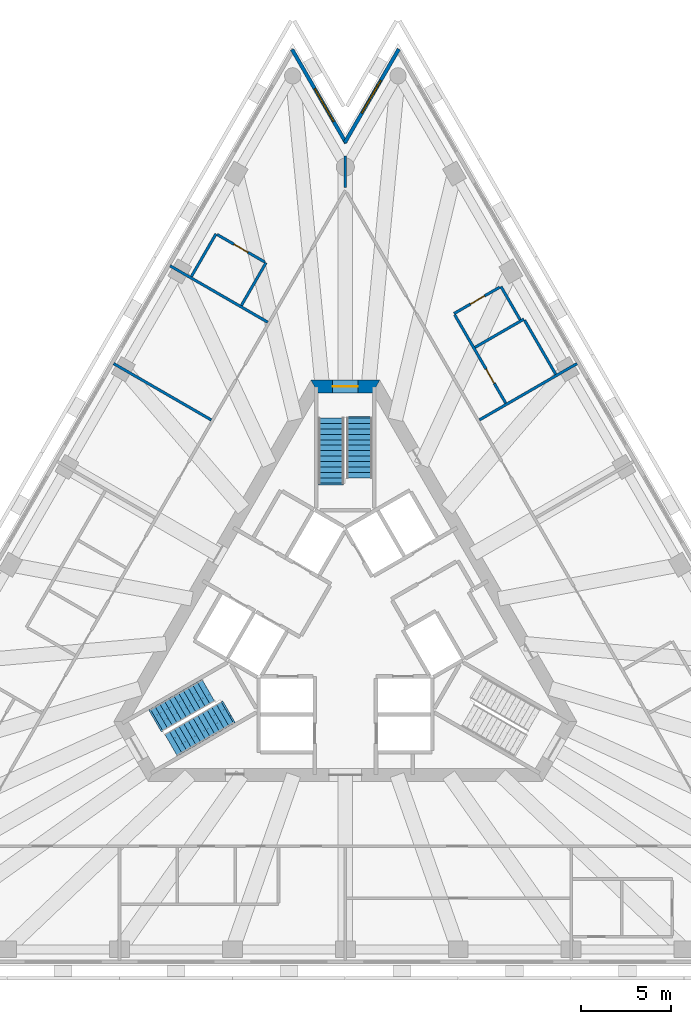
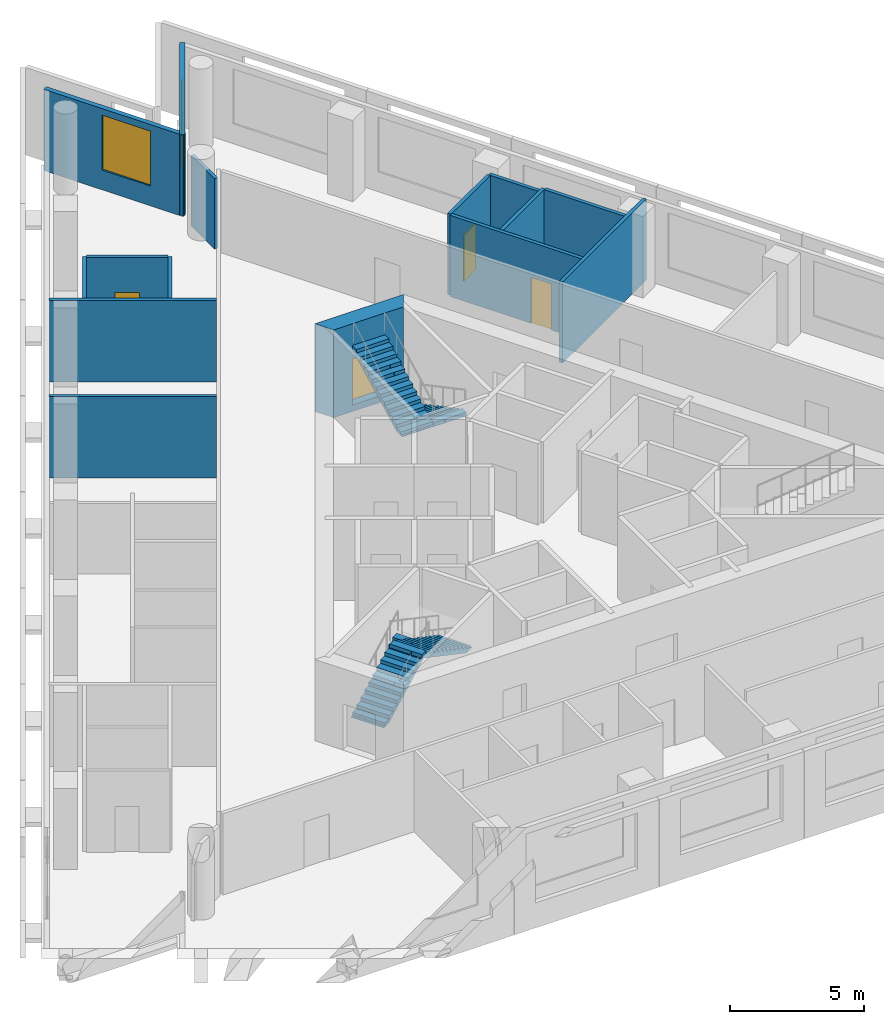
# One storey, part 7 of 10: 15 walls, 4 doors, 4 stair flights, 2 windows, 6 openings, 2 elements without a shape of their own.
"""IFC4 building model written with IfcOpenShell, lengths in metres."""

from ifc_helpers import new_model, si_unit, direction, frame, frame_2d, origin, place, context, subcontext, project, spatial, polyline, rectangle, outline, extrude, material, layer, layer_set, layer_usage, type_object, element, fill, aggregate, save


model = new_model("IFC4")

# Units and contexts
model_context = context("Model", 3, precision=1e-05, world=origin(), true_north=direction((0.0, 1.0)))
body_context = subcontext(model_context, "Body", "Model", "MODEL_VIEW")
ifc_project = project(units=[si_unit("LENGTHUNIT", "METRE"), si_unit("AREAUNIT", "SQUARE_METRE"), si_unit("VOLUMEUNIT", "CUBIC_METRE"), si_unit("PLANEANGLEUNIT", "RADIAN"), si_unit("MASSUNIT", "GRAM", prefix="KILO")], contexts=[model_context])

# Site, building, storey
site_placement = place(None, origin())
site = spatial("IfcSite", under=ifc_project, at=site_placement, CompositionType="ELEMENT")
building_placement = place(site_placement, origin())
building = spatial("IfcBuilding", under=site, at=building_placement, Name="Triada Interchange Tower", CompositionType="ELEMENT")
storey_placement = place(building_placement, frame((0.0, 0.0, 195.300048828125)))
storey = spatial("IfcBuildingStorey", under=building, at=storey_placement, Name="L45", CompositionType="ELEMENT", Elevation=195.300048828125)

# Wall, opening, door
ifc_material_1 = material(Name="Concrete C50/60", Category="concrete")
ifc_layer_1 = layer(ifc_material_1, 0.699951171875)
ifc_layer_set_1 = layer_set([ifc_layer_1], Name="Core wall C 700")
wall_type_1 = type_object("IfcWallType", Name="Core wall C 700", PredefinedType="SHEAR", material=ifc_layer_set_1)
wall_1_placement = place(storey_placement, frame((1.702880859375, 13.35009765625, -0.300048828125), z_axis=(0.0, 0.0, 1.0), x_axis=(-1.0, 0.0, 0.0)))
wall_1 = element("IfcWall", 1, at=wall_1_placement, inside=storey, type_object=wall_type_1, Name="Core wall WC01 L45", PredefinedType="SHEAR", context=body_context, shape_type="SweptSolid", body=[
    extrude(outline(polyline([(-0.201904296875, -0.35009765625), (1.703125, -0.35009765625), (3.60791015625, -0.35009765625), (3.2041015625, 0.35009765625), (1.703125, 0.35009765625), (0.201904296875, 0.35009765625), (-0.201904296875, -0.35009765625)])), origin(), (0.0, 0.0, 1.0), 4.0),
])
opening_1_placement = place(wall_1_placement, frame((1.0029296875, 0.0, 0.300048828125)))
opening_1 = element("IfcOpeningElement", 2, at=opening_1_placement, cuts=wall_1, Name="Opening D44-40", PredefinedType="OPENING", context=body_context, shape_type="SweptSolid", body=[
    extrude(rectangle(XDim=1.39990234375, YDim=2.10009765625, at=frame_2d((0.699951171875, 1.050048828125))), frame((0.0, 0.360107421875, 0.0), z_axis=(0.0, -1.0, 0.0), x_axis=(1.0, 0.0, 0.0)), (0.0, 0.0, 1.0), 0.72021484375),
])
ifc_material_2 = material(Name="Steel S235 door leaf", Category="steel")
door_type_1 = type_object("IfcDoorType", Name="STAIR DOOR 1400 EI2 90-C5S200", OperationType="DOUBLE_DOOR_SINGLE_SWING", PredefinedType="DOOR", material=ifc_material_2)
door_1_placement = place(opening_1_placement, origin())
door_1 = element("IfcDoor", 3, at=door_1_placement, inside=storey, type_object=door_type_1, Name="Door D44-40 L45", OperationType="DOUBLE_DOOR_SINGLE_SWING", OverallHeight=2.10009765625, OverallWidth=1.39990234375, PredefinedType="DOOR", context=body_context, shape_type="SweptSolid", body=[
    extrude(rectangle(XDim=1.39990234375, YDim=2.10009765625, at=frame_2d((0.699951171875, 1.050048828125))), frame((0.0, 0.02490234375, 0.0), z_axis=(0.0, -1.0, 0.0), x_axis=(1.0, 0.0, 0.0)), (0.0, 0.0, 1.0), 0.050048828125),
])
fill(opening_1, door_1)

# Wall, opening, window
ifc_material_3 = material(Name="Cement board")
ifc_layer_2 = layer(ifc_material_3, 0.02001953125, Name="Cement board cladding")
ifc_material_4 = material(Name="Sheathing board")
ifc_layer_3 = layer(ifc_material_4, 0.014892578125, Name="Sheathing board")
ifc_material_5 = material(Name="Mineral wool")
ifc_layer_4 = layer(ifc_material_5, 0.14990234375, Name="Mineral wool between steel studs")
ifc_material_6 = material(Name="Gypsum board")
ifc_layer_5 = layer(ifc_material_6, 0.014892578125, Name="Plasterboard lining")
ifc_layer_set_2 = layer_set([ifc_layer_2, ifc_layer_3, ifc_layer_4, ifc_layer_5], Name="External wall 200")
ifc_layer_usage = layer_usage(ifc_layer_set_2, "AXIS2", "POSITIVE", -0.10009765625)
wall_type_2 = type_object("IfcWallType", Name="External wall 200", PredefinedType="ELEMENTEDWALL", material=ifc_layer_set_2)
wall_2_placement = place(storey_placement, frame((2.958984375, 32.02001953125, 0.0), z_axis=(0.0, 0.0, 1.0), x_axis=(-0.499967146315, -0.866044371037, 0.0)))
wall_2 = element("IfcWall", 4, at=wall_2_placement, inside=storey, type_object=wall_type_2, material=ifc_layer_usage, Name="External wall L45 N-1", PredefinedType="ELEMENTEDWALL", context=body_context, shape_type="SweptSolid", body=[
    extrude(rectangle(XDim=5.98828125, YDim=0.199951171875, at=frame_2d((2.994140625, 0.0))), origin(), (0.0, 0.0, 1.0), 3.699951171875),
])
opening_2_placement = place(wall_2_placement, frame((1.989990234375, 0.0, 0.89990234375)))
opening_2 = element("IfcOpeningElement", 5, at=opening_2_placement, cuts=wall_2, Name="Opening WC29", PredefinedType="OPENING", context=body_context, shape_type="SweptSolid", body=[
    extrude(rectangle(XDim=2.10009765625, YDim=2.5, at=frame_2d((1.050048828125, 1.25))), frame((0.0, 0.10986328125, 0.0), z_axis=(0.0, -1.0, 0.0), x_axis=(1.0, 0.0, 0.0)), (0.0, 0.0, 1.0), 0.219970703125),
])
ifc_material_7 = material(Name="Double glazed aluminium window", Category="aluminium")
window_type = type_object("IfcWindowType", Name="Ribbon window C pocket", PartitioningType="SINGLE_PANEL", PredefinedType="WINDOW", material=ifc_material_7)
window_1_placement = place(opening_2_placement, origin())
window_1 = element("IfcWindow", 6, at=window_1_placement, inside=storey, type_object=window_type, Name="Window L45 N-1 1", OverallHeight=2.5, OverallWidth=2.10009765625, PartitioningType="SINGLE_PANEL", PredefinedType="WINDOW", context=body_context, shape_type="SweptSolid", body=[
    extrude(rectangle(XDim=2.10009765625, YDim=2.5, at=frame_2d((1.050048828125, 1.25))), frame((0.0, 0.030029296875, 0.0), z_axis=(0.0, -1.0, 0.0), x_axis=(1.0, 0.0, 0.0)), (0.0, 0.0, 1.0), 0.06005859375),
])
fill(opening_2, window_1)

wall_3_placement = place(storey_placement, frame((0.044921875, 26.81689453125, 0.0), z_axis=(0.0, 0.0, 1.0), x_axis=(-0.499967146315, 0.866044371037, 0.0)))
wall_3 = element("IfcWall", 7, at=wall_3_placement, inside=storey, type_object=wall_type_2, material=ifc_layer_usage, Name="External wall L45 N-2", PredefinedType="ELEMENTEDWALL", context=body_context, shape_type="SweptSolid", body=[
    extrude(rectangle(XDim=5.98828125, YDim=0.199951171875, at=frame_2d((2.994140625, 0.0))), origin(), (0.0, 0.0, 1.0), 3.699951171875),
])
opening_3_placement = place(wall_3_placement, frame((1.389892578125, 0.0, 0.89990234375)))
opening_3 = element("IfcOpeningElement", 8, at=opening_3_placement, cuts=wall_3, Name="Opening WC30", PredefinedType="OPENING", context=body_context, shape_type="SweptSolid", body=[
    extrude(rectangle(XDim=2.10009765625, YDim=2.5, at=frame_2d((1.050048828125, 1.25))), frame((0.0, 0.10986328125, 0.0), z_axis=(0.0, -1.0, 0.0), x_axis=(1.0, 0.0, 0.0)), (0.0, 0.0, 1.0), 0.219970703125),
])
window_2_placement = place(opening_3_placement, origin())
window_2 = element("IfcWindow", 9, at=window_2_placement, inside=storey, type_object=window_type, Name="Window L45 N-2 1", OverallHeight=2.5, OverallWidth=2.10009765625, PartitioningType="SINGLE_PANEL", PredefinedType="WINDOW", context=body_context, shape_type="SweptSolid", body=[
    extrude(rectangle(XDim=2.10009765625, YDim=2.5, at=frame_2d((1.050048828125, 1.25))), frame((0.0, 0.030029296875, 0.0), z_axis=(0.0, -1.0, 0.0), x_axis=(1.0, 0.0, 0.0)), (0.0, 0.0, 1.0), 0.06005859375),
])
fill(opening_3, window_2)

# Walls
ifc_material_8 = material(Name="Gypsum board partition")
ifc_layer_6 = layer(ifc_material_8, 0.14990234375)
ifc_layer_set_3 = layer_set([ifc_layer_6], Name="PARTITION 150 EI 180")
wall_type_3 = type_object("IfcWallType", Name="PARTITION 150 EI 180", PredefinedType="PARTITIONING", material=ifc_layer_set_3)
for number, where, z_axis, x_axis, name in (
    (10, (-12.822998046875, 14.618896484375, 0.0), (0.0, 0.0, 1.0), (0.866036385336, -0.499980978912, 0.0), "Wall L44 12"),
    (11, (-9.698974609375, 20.030029296875, 0.0), (0.0, 0.0, 1.0), (0.86601944389, -0.500010322698, 0.0), "Wall L44 15"),
):
    element("IfcWall", number, at=place(storey_placement, frame(where, z_axis=z_axis, x_axis=x_axis)), inside=storey, type_object=wall_type_3, Name=name, PredefinedType="PARTITIONING", context=body_context, shape_type="SweptSolid", body=[
        extrude(rectangle(XDim=6.239990234375, YDim=0.14990234375, at=frame_2d((3.1201171875, 0.0))), origin(), (0.0, 0.0, 1.0), 3.699951171875),
    ])
wall_4_placement = place(storey_placement, frame((0.0, 24.35009765625, 0.0), z_axis=(0.0, 0.0, 1.0), x_axis=(0.0, 1.0, 0.0)))
element("IfcWall", 12, at=wall_4_placement, inside=storey, type_object=wall_type_3, Name="Wall L44 20", PredefinedType="PARTITIONING", context=body_context, shape_type="SweptSolid", body=[
    extrude(rectangle(XDim=1.764892578125, YDim=0.14990234375, at=frame_2d((0.88232421875, 0.0))), origin(), (0.0, 0.0, 1.0), 3.199951171875),
])
wall_5_placement = place(storey_placement, frame((7.4189453125, 11.4990234375, 0.0), z_axis=(0.0, 0.0, 1.0), x_axis=(0.866036385336, 0.499980978912, 0.0)))
element("IfcWall", 13, at=wall_5_placement, inside=storey, type_object=wall_type_3, Name="Wall L44 22", PredefinedType="PARTITIONING", context=body_context, shape_type="SweptSolid", body=[
    extrude(rectangle(XDim=6.239990234375, YDim=0.14990234375, at=frame_2d((3.1201171875, 0.0))), origin(), (0.0, 0.0, 1.0), 3.699951171875),
])
ifc_layer_7 = layer(ifc_material_8, 0.14990234375)
ifc_layer_set_4 = layer_set([ifc_layer_7], Name="PARTITION 150 EI 90")
wall_type_4 = type_object("IfcWallType", Name="PARTITION 150 EI 90", PredefinedType="PARTITIONING", material=ifc_layer_set_4)
for number, where, z_axis, x_axis, name in (
    (14, (-8.52099609375, 19.43603515625, 0.0), (0.0, 0.0, 1.0), (0.500156697144, 0.865934915743, 0.0), "Wall L44 28"),
    (15, (-5.751953125, 17.837890625, 0.0), (0.0, 0.0, 1.0), (0.500117899823, 0.865957323588, 0.0), "Wall L44 31"),
):
    element("IfcWall", number, at=place(storey_placement, frame(where, z_axis=z_axis, x_axis=x_axis)), inside=storey, type_object=wall_type_4, Name=name, PredefinedType="PARTITIONING", context=body_context, shape_type="SweptSolid", body=[
        extrude(rectangle(XDim=2.725341796875, YDim=0.14990234375, at=frame_2d((1.36279296875, 0.0))), origin(), (0.0, 0.0, 1.0), 3.699951171875),
    ])

# Wall, opening, door
wall_6_placement = place(storey_placement, frame((-7.093017578125, 21.759033203125, 0.0), z_axis=(0.0, 0.0, 1.0), x_axis=(0.865976105257, -0.500085377835, 0.0)))
wall_6 = element("IfcWall", 16, at=wall_6_placement, inside=storey, type_object=wall_type_4, Name="Wall L44 33", PredefinedType="PARTITIONING", context=body_context, shape_type="SweptSolid", body=[
    extrude(rectangle(XDim=3.04736328125, YDim=0.14990234375, at=frame_2d((1.523681640625, 0.0))), origin(), (0.0, 0.0, 1.0), 3.699951171875),
])
opening_4_placement = place(wall_6_placement, frame((1.074951171875, 0.0, 0.0)))
opening_4 = element("IfcOpeningElement", 17, at=opening_4_placement, cuts=wall_6, Name="Opening D44-29", PredefinedType="OPENING", context=body_context, shape_type="SweptSolid", body=[
    extrude(rectangle(XDim=0.89990234375, YDim=2.10009765625, at=frame_2d((0.449951171875, 1.050048828125))), frame((0.0, 0.0849609375, 0.0), z_axis=(0.0, -1.0, 0.0), x_axis=(1.0, 0.0, 0.0)), (0.0, 0.0, 1.0), 0.169921875),
])
door_type_2 = type_object("IfcDoorType", Name="ROOM DOOR 900 EI2 45-C5S200", OperationType="NOTDEFINED", PredefinedType="DOOR", material=ifc_material_2)
door_2_placement = place(opening_4_placement, origin())
door_2 = element("IfcDoor", 18, at=door_2_placement, inside=storey, type_object=door_type_2, Name="Door D44-29 L45", OperationType="SINGLE_SWING_RIGHT", OverallHeight=2.10009765625, OverallWidth=0.89990234375, PredefinedType="DOOR", context=body_context, shape_type="SweptSolid", body=[
    extrude(rectangle(XDim=0.89990234375, YDim=2.10009765625, at=frame_2d((0.449951171875, 1.050048828125))), frame((0.0, 0.02490234375, 0.0), z_axis=(0.0, -1.0, 0.0), x_axis=(1.0, 0.0, 0.0)), (0.0, 0.0, 1.0), 0.050048828125),
])
fill(opening_4, door_2)

# Walls
wall_7_placement = place(storey_placement, frame((7.177978515625, 15.51708984375, 0.0), z_axis=(0.0, 0.0, 1.0), x_axis=(0.866084027935, 0.499898446243, 0.0)))
element("IfcWall", 19, at=wall_7_placement, inside=storey, type_object=wall_type_4, Name="Wall L44 35", PredefinedType="PARTITIONING", context=body_context, shape_type="SweptSolid", body=[
    extrude(rectangle(XDim=3.122314453125, YDim=0.14990234375, at=frame_2d((1.56103515625, 0.0))), origin(), (0.0, 0.0, 1.0), 3.699951171875),
])
wall_8_placement = place(storey_placement, frame((8.611083984375, 18.885009765625, 0.0), z_axis=(0.0, 0.0, 1.0), x_axis=(0.500017365573, -0.866015377534, 0.0)))
element("IfcWall", 20, at=wall_8_placement, inside=storey, type_object=wall_type_4, Name="Wall L44 36", PredefinedType="PARTITIONING", context=body_context, shape_type="SweptSolid", body=[
    extrude(rectangle(XDim=2.1259765625, YDim=0.14990234375, at=frame_2d((1.06298828125, 0.0))), origin(), (0.0, 0.0, 1.0), 3.699951171875),
])

# Wall, opening, door
wall_9_placement = place(storey_placement, frame((6.012939453125, 17.385009765625, 0.0), z_axis=(0.0, 0.0, 1.0), x_axis=(0.866098016745, 0.499874209568, 0.0)))
wall_9 = element("IfcWall", 21, at=wall_9_placement, inside=storey, type_object=wall_type_4, Name="Wall L44 37", PredefinedType="PARTITIONING", context=body_context, shape_type="SweptSolid", body=[
    extrude(rectangle(XDim=2.924560546875, YDim=0.14990234375, at=frame_2d((1.46240234375, 0.0))), origin(), (0.0, 0.0, 1.0), 3.699951171875),
])
opening_5_placement = place(wall_9_placement, frame((1.050048828125, 0.0, 0.0)))
opening_5 = element("IfcOpeningElement", 22, at=opening_5_placement, cuts=wall_9, Name="Opening D44-27", PredefinedType="OPENING", context=body_context, shape_type="SweptSolid", body=[
    extrude(rectangle(XDim=0.89990234375, YDim=2.10009765625, at=frame_2d((0.449951171875, 1.050048828125))), frame((0.0, 0.0849609375, 0.0), z_axis=(0.0, -1.0, 0.0), x_axis=(1.0, 0.0, 0.0)), (0.0, 0.0, 1.0), 0.169921875),
])
door_type_3 = type_object("IfcDoorType", Name="SERVICE DOOR 900 EI2 45-C5S200", OperationType="NOTDEFINED", PredefinedType="DOOR", material=ifc_material_2)
door_3_placement = place(opening_5_placement, origin())
door_3 = element("IfcDoor", 23, at=door_3_placement, inside=storey, type_object=door_type_3, Name="Door D44-27 L45", OperationType="SINGLE_SWING_LEFT", OverallHeight=2.10009765625, OverallWidth=0.89990234375, PredefinedType="DOOR", context=body_context, shape_type="SweptSolid", body=[
    extrude(rectangle(XDim=0.89990234375, YDim=2.10009765625, at=frame_2d((0.449951171875, 1.050048828125))), frame((0.0, 0.02490234375, 0.0), z_axis=(0.0, -1.0, 0.0), x_axis=(1.0, 0.0, 0.0)), (0.0, 0.0, 1.0), 0.050048828125),
])
fill(opening_5, door_3)

wall_10_placement = place(storey_placement, frame((6.051025390625, 17.320068359375, 0.0), z_axis=(0.0, 0.0, 1.0), x_axis=(0.499991765245, -0.86603015807, 0.0)))
wall_10 = element("IfcWall", 24, at=wall_10_placement, inside=storey, type_object=wall_type_4, Name="Wall L44 38", PredefinedType="PARTITIONING", context=body_context, shape_type="SweptSolid", body=[
    extrude(rectangle(XDim=5.64990234375, YDim=0.14990234375, at=frame_2d((2.824951171875, 0.0))), origin(), (0.0, 0.0, 1.0), 3.699951171875),
])
opening_6_placement = place(wall_10_placement, frame((3.47509765625, 0.0, 0.0)))
opening_6 = element("IfcOpeningElement", 25, at=opening_6_placement, cuts=wall_10, Name="Opening D44-26", PredefinedType="OPENING", context=body_context, shape_type="SweptSolid", body=[
    extrude(rectangle(XDim=0.89990234375, YDim=2.10009765625, at=frame_2d((0.449951171875, 1.050048828125))), frame((0.0, 0.0849609375, 0.0), z_axis=(0.0, -1.0, 0.0), x_axis=(1.0, 0.0, 0.0)), (0.0, 0.0, 1.0), 0.169921875),
])
door_4_placement = place(opening_6_placement, origin())
door_4 = element("IfcDoor", 26, at=door_4_placement, inside=storey, type_object=door_type_2, Name="Door D44-26 L45", OperationType="SINGLE_SWING_RIGHT", OverallHeight=2.10009765625, OverallWidth=0.89990234375, PredefinedType="DOOR", context=body_context, shape_type="SweptSolid", body=[
    extrude(rectangle(XDim=0.89990234375, YDim=2.10009765625, at=frame_2d((0.449951171875, 1.050048828125))), frame((0.0, 0.02490234375, 0.0), z_axis=(0.0, -1.0, 0.0), x_axis=(1.0, 0.0, 0.0)), (0.0, 0.0, 1.0), 0.050048828125),
])
fill(opening_6, door_4)

# Wall
wall_11_placement = place(storey_placement, frame((9.919921875, 17.012939453125, 0.0), z_axis=(0.0, 0.0, 1.0), x_axis=(0.49998991961, -0.866031223622, 0.0)))
element("IfcWall", 27, at=wall_11_placement, inside=storey, type_object=wall_type_4, Name="Wall L44 39", PredefinedType="PARTITIONING", context=body_context, shape_type="SweptSolid", body=[
    extrude(rectangle(XDim=3.4501953125, YDim=0.14990234375, at=frame_2d((1.72509765625, 0.0))), origin(), (0.0, 0.0, 1.0), 3.699951171875),
])

# Stair, stair flights
ifc_material_9 = material(Name="Concrete C35/45", Category="concrete")
stair_type = type_object("IfcStairType", Name="HALF TURN STAIR 1400", PredefinedType="HALF_TURN_STAIR", material=ifc_material_9)
stair_1_placement = place(storey_placement, origin())
stair_1 = element("IfcStair", 28, at=stair_1_placement, inside=storey, type_object=stair_type, Name="Exit stair S44-1", PredefinedType="HALF_TURN_STAIR")
stair_flight_type = type_object("IfcStairFlightType", Name="STRAIGHT STAIR FLIGHT 1400", PredefinedType="STRAIGHT", material=ifc_material_9)
stair_flight_1_placement = place(storey_placement, frame((0.800048828125, 11.60009765625, 0.0), z_axis=(0.0, 0.0, 1.0), x_axis=(0.0, -1.0, 0.0)))
stair_flight_1 = element("IfcStairFlight", 29, at=stair_flight_1_placement, type_object=stair_flight_type, Name="S44-1 flight 1", NumberOfRisers=12, NumberOfTreads=11, PredefinedType="STRAIGHT", RiserHeight=0.16, TreadLength=0.3, context=body_context, shape_type="SweptSolid", body=[
    extrude(outline(polyline([(-0.10009765625, 0.0), (-0.10009765625, 0.02001953125), (0.0, 0.02001953125), (0.0, 0.159912109375), (0.300048828125, 0.159912109375), (0.300048828125, 0.320068359375), (0.60009765625, 0.320068359375), (0.60009765625, 0.47998046875), (0.89990234375, 0.47998046875), (0.89990234375, 0.639892578125), (1.199951171875, 0.639892578125), (1.199951171875, 0.800048828125), (1.5, 0.800048828125), (1.5, 0.9599609375), (1.800048828125, 0.9599609375), (1.800048828125, 1.1201171875), (2.10009765625, 1.1201171875), (2.10009765625, 1.280029296875), (2.39990234375, 1.280029296875), (2.39990234375, 1.43994140625), (2.699951171875, 1.43994140625), (2.699951171875, 1.60009765625), (3.0, 1.60009765625), (3.0, 1.760009765625), (3.300048828125, 1.760009765625), (3.303955078125, 1.760009765625), (3.303955078125, 1.919921875), (3.303955078125, 1.590087890625), (0.318603515625, 0.0), (-0.10009765625, 0.0)])), frame((0.0, 0.699951171875, 0.0), z_axis=(0.0, -1.0, 0.0), x_axis=(1.0, 0.0, 0.0)), (0.0, 0.0, 1.0), 0.46533203125),
    extrude(outline(polyline([(-0.10009765625, 0.0), (-0.10009765625, 0.02001953125), (0.0, 0.02001953125), (0.0, 0.159912109375), (0.300048828125, 0.159912109375), (0.300048828125, 0.320068359375), (0.60009765625, 0.320068359375), (0.60009765625, 0.47998046875), (0.89990234375, 0.47998046875), (0.89990234375, 0.639892578125), (1.199951171875, 0.639892578125), (1.199951171875, 0.800048828125), (1.5, 0.800048828125), (1.5, 0.9599609375), (1.800048828125, 0.9599609375), (1.800048828125, 1.1201171875), (2.10009765625, 1.1201171875), (2.10009765625, 1.280029296875), (2.39990234375, 1.280029296875), (2.39990234375, 1.43994140625), (2.699951171875, 1.43994140625), (2.699951171875, 1.60009765625), (3.0, 1.60009765625), (3.0, 1.760009765625), (3.300048828125, 1.760009765625), (3.303955078125, 1.760009765625), (3.303955078125, 1.919921875), (3.303955078125, 1.590087890625), (0.318603515625, 0.0), (-0.10009765625, 0.0)])), frame((0.0, 0.232666015625, 0.0), z_axis=(0.0, -1.0, 0.0), x_axis=(1.0, 0.0, 0.0)), (0.0, 0.0, 1.0), 0.46533203125),
    extrude(outline(polyline([(-0.10009765625, 0.0), (-0.10009765625, 0.02001953125), (0.0, 0.02001953125), (0.0, 0.159912109375), (0.300048828125, 0.159912109375), (0.300048828125, 0.320068359375), (0.60009765625, 0.320068359375), (0.60009765625, 0.47998046875), (0.89990234375, 0.47998046875), (0.89990234375, 0.639892578125), (1.199951171875, 0.639892578125), (1.199951171875, 0.800048828125), (1.5, 0.800048828125), (1.5, 0.9599609375), (1.800048828125, 0.9599609375), (1.800048828125, 1.1201171875), (2.10009765625, 1.1201171875), (2.10009765625, 1.280029296875), (2.39990234375, 1.280029296875), (2.39990234375, 1.43994140625), (2.699951171875, 1.43994140625), (2.699951171875, 1.60009765625), (3.0, 1.60009765625), (3.0, 1.760009765625), (3.300048828125, 1.760009765625), (3.303955078125, 1.760009765625), (3.303955078125, 1.919921875), (3.303955078125, 1.590087890625), (0.318603515625, 0.0), (-0.10009765625, 0.0)])), frame((0.0, -0.234619140625, 0.0), z_axis=(0.0, -1.0, 0.0), x_axis=(1.0, 0.0, 0.0)), (0.0, 0.0, 1.0), 0.46533203125),
])
stair_flight_2_placement = place(storey_placement, frame((-0.800048828125, 8.0, 1.919921875), z_axis=(0.0, 0.0, 1.0), x_axis=(0.0, 1.0, 0.0)))
stair_flight_2 = element("IfcStairFlight", 30, at=stair_flight_2_placement, type_object=stair_flight_type, Name="S44-1 flight 2", NumberOfRisers=13, NumberOfTreads=12, PredefinedType="STRAIGHT", RiserHeight=0.16, TreadLength=0.3, context=body_context, shape_type="SweptSolid", body=[
    extrude(outline(polyline([(-0.10009765625, 0.0), (-0.10009765625, 0.02001953125), (0.0, 0.02001953125), (0.0, 0.159912109375), (0.300048828125, 0.159912109375), (0.300048828125, 0.320068359375), (0.60009765625, 0.320068359375), (0.60009765625, 0.47998046875), (0.89990234375, 0.47998046875), (0.89990234375, 0.639892578125), (1.199951171875, 0.639892578125), (1.199951171875, 0.800048828125), (1.5, 0.800048828125), (1.5, 0.9599609375), (1.800048828125, 0.9599609375), (1.800048828125, 1.1201171875), (2.10009765625, 1.1201171875), (2.10009765625, 1.280029296875), (2.39990234375, 1.280029296875), (2.39990234375, 1.43994140625), (2.699951171875, 1.43994140625), (2.699951171875, 1.60009765625), (3.0, 1.60009765625), (3.0, 1.760009765625), (3.300048828125, 1.760009765625), (3.300048828125, 1.919921875), (3.60009765625, 1.919921875), (3.60400390625, 1.919921875), (3.60400390625, 2.080078125), (3.60400390625, 1.75), (0.318603515625, 0.0), (-0.10009765625, 0.0)])), frame((0.0, 0.699951171875, 0.0), z_axis=(0.0, -1.0, 0.0), x_axis=(1.0, 0.0, 0.0)), (0.0, 0.0, 1.0), 0.46533203125),
    extrude(outline(polyline([(-0.10009765625, 0.0), (-0.10009765625, 0.02001953125), (0.0, 0.02001953125), (0.0, 0.159912109375), (0.300048828125, 0.159912109375), (0.300048828125, 0.320068359375), (0.60009765625, 0.320068359375), (0.60009765625, 0.47998046875), (0.89990234375, 0.47998046875), (0.89990234375, 0.639892578125), (1.199951171875, 0.639892578125), (1.199951171875, 0.800048828125), (1.5, 0.800048828125), (1.5, 0.9599609375), (1.800048828125, 0.9599609375), (1.800048828125, 1.1201171875), (2.10009765625, 1.1201171875), (2.10009765625, 1.280029296875), (2.39990234375, 1.280029296875), (2.39990234375, 1.43994140625), (2.699951171875, 1.43994140625), (2.699951171875, 1.60009765625), (3.0, 1.60009765625), (3.0, 1.760009765625), (3.300048828125, 1.760009765625), (3.300048828125, 1.919921875), (3.60009765625, 1.919921875), (3.60400390625, 1.919921875), (3.60400390625, 2.080078125), (3.60400390625, 1.75), (0.318603515625, 0.0), (-0.10009765625, 0.0)])), frame((0.0, 0.232666015625, 0.0), z_axis=(0.0, -1.0, 0.0), x_axis=(1.0, 0.0, 0.0)), (0.0, 0.0, 1.0), 0.46533203125),
    extrude(outline(polyline([(-0.10009765625, 0.0), (-0.10009765625, 0.02001953125), (0.0, 0.02001953125), (0.0, 0.159912109375), (0.300048828125, 0.159912109375), (0.300048828125, 0.320068359375), (0.60009765625, 0.320068359375), (0.60009765625, 0.47998046875), (0.89990234375, 0.47998046875), (0.89990234375, 0.639892578125), (1.199951171875, 0.639892578125), (1.199951171875, 0.800048828125), (1.5, 0.800048828125), (1.5, 0.9599609375), (1.800048828125, 0.9599609375), (1.800048828125, 1.1201171875), (2.10009765625, 1.1201171875), (2.10009765625, 1.280029296875), (2.39990234375, 1.280029296875), (2.39990234375, 1.43994140625), (2.699951171875, 1.43994140625), (2.699951171875, 1.60009765625), (3.0, 1.60009765625), (3.0, 1.760009765625), (3.300048828125, 1.760009765625), (3.300048828125, 1.919921875), (3.60009765625, 1.919921875), (3.60400390625, 1.919921875), (3.60400390625, 2.080078125), (3.60400390625, 1.75), (0.318603515625, 0.0), (-0.10009765625, 0.0)])), frame((0.0, -0.234619140625, 0.0), z_axis=(0.0, -1.0, 0.0), x_axis=(1.0, 0.0, 0.0)), (0.0, 0.0, 1.0), 0.46533203125),
])
aggregate(stair_1, [stair_flight_1, stair_flight_2])

stair_2_placement = place(storey_placement, origin())
stair_2 = element("IfcStair", 31, at=stair_2_placement, inside=storey, type_object=stair_type, Name="Exit stair S44-2", PredefinedType="HALF_TURN_STAIR")
stair_flight_3_placement = place(storey_placement, frame((-10.446044921875, -5.10693359375, 0.0), z_axis=(0.0, 0.0, 1.0), x_axis=(0.866025403784, 0.5, 0.0)))
stair_flight_3 = element("IfcStairFlight", 32, at=stair_flight_3_placement, type_object=stair_flight_type, Name="S44-2 flight 1", NumberOfRisers=12, NumberOfTreads=11, PredefinedType="STRAIGHT", RiserHeight=0.16, TreadLength=0.3, context=body_context, shape_type="SweptSolid", body=[
    extrude(outline(polyline([(-0.10009765625, 0.0), (-0.10009765625, 0.02001953125), (0.0, 0.02001953125), (0.0, 0.159912109375), (0.300048828125, 0.159912109375), (0.300048828125, 0.320068359375), (0.60009765625, 0.320068359375), (0.60009765625, 0.47998046875), (0.89990234375, 0.47998046875), (0.89990234375, 0.639892578125), (1.199951171875, 0.639892578125), (1.199951171875, 0.800048828125), (1.5, 0.800048828125), (1.5, 0.9599609375), (1.800048828125, 0.9599609375), (1.800048828125, 1.1201171875), (2.10009765625, 1.1201171875), (2.10009765625, 1.280029296875), (2.39990234375, 1.280029296875), (2.39990234375, 1.43994140625), (2.699951171875, 1.43994140625), (2.699951171875, 1.60009765625), (3.0, 1.60009765625), (3.0, 1.760009765625), (3.300048828125, 1.760009765625), (3.303955078125, 1.760009765625), (3.303955078125, 1.919921875), (3.303955078125, 1.590087890625), (0.318603515625, 0.0), (-0.10009765625, 0.0)])), frame((0.0, 0.699951171875, 0.0), z_axis=(0.0, -1.0, 0.0), x_axis=(1.0, 0.0, 0.0)), (0.0, 0.0, 1.0), 0.46533203125),
    extrude(outline(polyline([(-0.10009765625, 0.0), (-0.10009765625, 0.02001953125), (0.0, 0.02001953125), (0.0, 0.159912109375), (0.300048828125, 0.159912109375), (0.300048828125, 0.320068359375), (0.60009765625, 0.320068359375), (0.60009765625, 0.47998046875), (0.89990234375, 0.47998046875), (0.89990234375, 0.639892578125), (1.199951171875, 0.639892578125), (1.199951171875, 0.800048828125), (1.5, 0.800048828125), (1.5, 0.9599609375), (1.800048828125, 0.9599609375), (1.800048828125, 1.1201171875), (2.10009765625, 1.1201171875), (2.10009765625, 1.280029296875), (2.39990234375, 1.280029296875), (2.39990234375, 1.43994140625), (2.699951171875, 1.43994140625), (2.699951171875, 1.60009765625), (3.0, 1.60009765625), (3.0, 1.760009765625), (3.300048828125, 1.760009765625), (3.303955078125, 1.760009765625), (3.303955078125, 1.919921875), (3.303955078125, 1.590087890625), (0.318603515625, 0.0), (-0.10009765625, 0.0)])), frame((0.0, 0.232666015625, 0.0), z_axis=(0.0, -1.0, 0.0), x_axis=(1.0, 0.0, 0.0)), (0.0, 0.0, 1.0), 0.46533203125),
    extrude(outline(polyline([(-0.10009765625, 0.0), (-0.10009765625, 0.02001953125), (0.0, 0.02001953125), (0.0, 0.159912109375), (0.300048828125, 0.159912109375), (0.300048828125, 0.320068359375), (0.60009765625, 0.320068359375), (0.60009765625, 0.47998046875), (0.89990234375, 0.47998046875), (0.89990234375, 0.639892578125), (1.199951171875, 0.639892578125), (1.199951171875, 0.800048828125), (1.5, 0.800048828125), (1.5, 0.9599609375), (1.800048828125, 0.9599609375), (1.800048828125, 1.1201171875), (2.10009765625, 1.1201171875), (2.10009765625, 1.280029296875), (2.39990234375, 1.280029296875), (2.39990234375, 1.43994140625), (2.699951171875, 1.43994140625), (2.699951171875, 1.60009765625), (3.0, 1.60009765625), (3.0, 1.760009765625), (3.300048828125, 1.760009765625), (3.303955078125, 1.760009765625), (3.303955078125, 1.919921875), (3.303955078125, 1.590087890625), (0.318603515625, 0.0), (-0.10009765625, 0.0)])), frame((0.0, -0.234619140625, 0.0), z_axis=(0.0, -1.0, 0.0), x_axis=(1.0, 0.0, 0.0)), (0.0, 0.0, 1.0), 0.46533203125),
])
stair_flight_4_placement = place(storey_placement, frame((-6.528076171875, -4.693115234375, 1.919921875), z_axis=(0.0, 0.0, 1.0), x_axis=(-0.866025403784, -0.5, 0.0)))
stair_flight_4 = element("IfcStairFlight", 33, at=stair_flight_4_placement, type_object=stair_flight_type, Name="S44-2 flight 2", NumberOfRisers=13, NumberOfTreads=12, PredefinedType="STRAIGHT", RiserHeight=0.16, TreadLength=0.3, context=body_context, shape_type="SweptSolid", body=[
    extrude(outline(polyline([(-0.10009765625, 0.0), (-0.10009765625, 0.02001953125), (0.0, 0.02001953125), (0.0, 0.159912109375), (0.300048828125, 0.159912109375), (0.300048828125, 0.320068359375), (0.60009765625, 0.320068359375), (0.60009765625, 0.47998046875), (0.89990234375, 0.47998046875), (0.89990234375, 0.639892578125), (1.199951171875, 0.639892578125), (1.199951171875, 0.800048828125), (1.5, 0.800048828125), (1.5, 0.9599609375), (1.800048828125, 0.9599609375), (1.800048828125, 1.1201171875), (2.10009765625, 1.1201171875), (2.10009765625, 1.280029296875), (2.39990234375, 1.280029296875), (2.39990234375, 1.43994140625), (2.699951171875, 1.43994140625), (2.699951171875, 1.60009765625), (3.0, 1.60009765625), (3.0, 1.760009765625), (3.300048828125, 1.760009765625), (3.300048828125, 1.919921875), (3.60009765625, 1.919921875), (3.60400390625, 1.919921875), (3.60400390625, 2.080078125), (3.60400390625, 1.75), (0.318603515625, 0.0), (-0.10009765625, 0.0)])), frame((0.0, 0.699951171875, 0.0), z_axis=(0.0, -1.0, 0.0), x_axis=(1.0, 0.0, 0.0)), (0.0, 0.0, 1.0), 0.46533203125),
    extrude(outline(polyline([(-0.10009765625, 0.0), (-0.10009765625, 0.02001953125), (0.0, 0.02001953125), (0.0, 0.159912109375), (0.300048828125, 0.159912109375), (0.300048828125, 0.320068359375), (0.60009765625, 0.320068359375), (0.60009765625, 0.47998046875), (0.89990234375, 0.47998046875), (0.89990234375, 0.639892578125), (1.199951171875, 0.639892578125), (1.199951171875, 0.800048828125), (1.5, 0.800048828125), (1.5, 0.9599609375), (1.800048828125, 0.9599609375), (1.800048828125, 1.1201171875), (2.10009765625, 1.1201171875), (2.10009765625, 1.280029296875), (2.39990234375, 1.280029296875), (2.39990234375, 1.43994140625), (2.699951171875, 1.43994140625), (2.699951171875, 1.60009765625), (3.0, 1.60009765625), (3.0, 1.760009765625), (3.300048828125, 1.760009765625), (3.300048828125, 1.919921875), (3.60009765625, 1.919921875), (3.60400390625, 1.919921875), (3.60400390625, 2.080078125), (3.60400390625, 1.75), (0.318603515625, 0.0), (-0.10009765625, 0.0)])), frame((0.0, 0.232666015625, 0.0), z_axis=(0.0, -1.0, 0.0), x_axis=(1.0, 0.0, 0.0)), (0.0, 0.0, 1.0), 0.46533203125),
    extrude(outline(polyline([(-0.10009765625, 0.0), (-0.10009765625, 0.02001953125), (0.0, 0.02001953125), (0.0, 0.159912109375), (0.300048828125, 0.159912109375), (0.300048828125, 0.320068359375), (0.60009765625, 0.320068359375), (0.60009765625, 0.47998046875), (0.89990234375, 0.47998046875), (0.89990234375, 0.639892578125), (1.199951171875, 0.639892578125), (1.199951171875, 0.800048828125), (1.5, 0.800048828125), (1.5, 0.9599609375), (1.800048828125, 0.9599609375), (1.800048828125, 1.1201171875), (2.10009765625, 1.1201171875), (2.10009765625, 1.280029296875), (2.39990234375, 1.280029296875), (2.39990234375, 1.43994140625), (2.699951171875, 1.43994140625), (2.699951171875, 1.60009765625), (3.0, 1.60009765625), (3.0, 1.760009765625), (3.300048828125, 1.760009765625), (3.300048828125, 1.919921875), (3.60009765625, 1.919921875), (3.60400390625, 1.919921875), (3.60400390625, 2.080078125), (3.60400390625, 1.75), (0.318603515625, 0.0), (-0.10009765625, 0.0)])), frame((0.0, -0.234619140625, 0.0), z_axis=(0.0, -1.0, 0.0), x_axis=(1.0, 0.0, 0.0)), (0.0, 0.0, 1.0), 0.46533203125),
])
aggregate(stair_2, [stair_flight_3, stair_flight_4])

save(model, "model.ifc")
